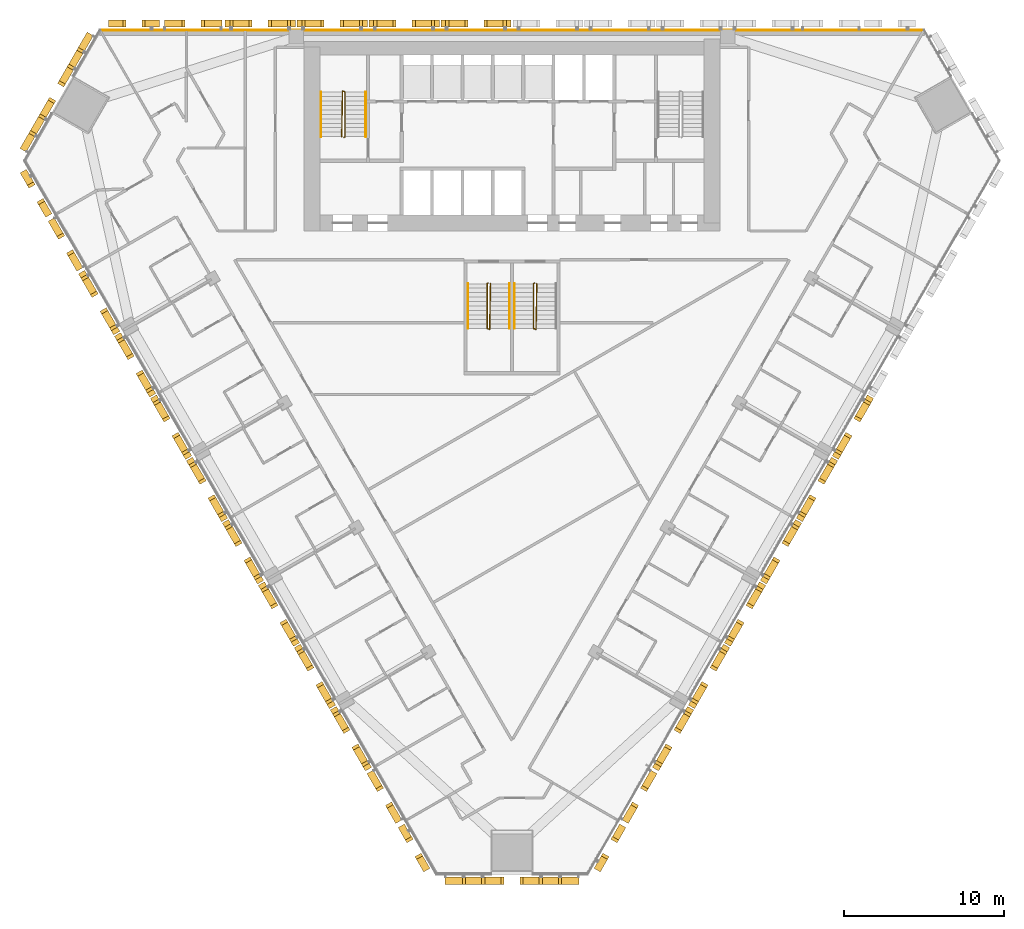
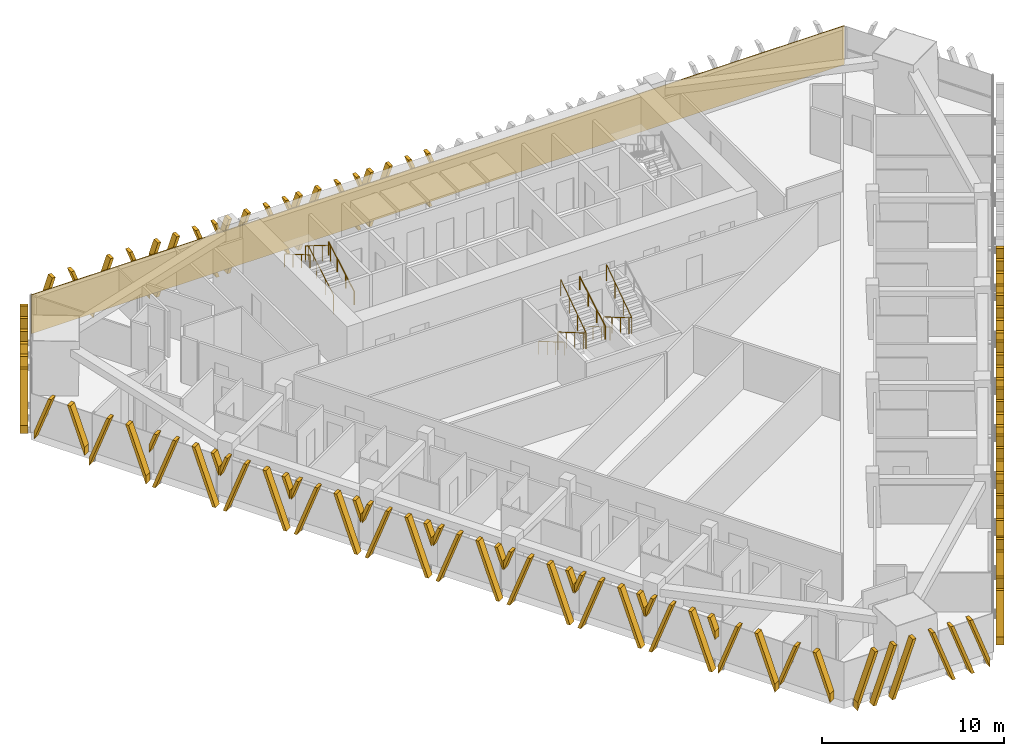
# One storey, part 15 of 17: 28 shading devices, 8 railings, 1 covering.
"""IFC4 building model written with IfcOpenShell, lengths in metres."""

from ifc_helpers import new_model, si_unit, direction, frame, frame_2d, origin, origin_2d, place, context, subcontext, project, spatial, polyline, rectangle, circle, outline, extrude, source, transform, mapped, material, layer, layer_set, type_object, element, save


model = new_model("IFC4")

# Units and contexts
model_context = context("Model", 3, precision=1e-05, world=origin(), true_north=direction((0.0, 1.0)))
body_context = subcontext(model_context, "Body", "Model", "MODEL_VIEW")
ifc_project = project(units=[si_unit("LENGTHUNIT", "METRE"), si_unit("AREAUNIT", "SQUARE_METRE"), si_unit("VOLUMEUNIT", "CUBIC_METRE"), si_unit("PLANEANGLEUNIT", "RADIAN"), si_unit("MASSUNIT", "GRAM", prefix="KILO")], contexts=[model_context])

# Site, building, storey
site_placement = place(None, origin())
site = spatial("IfcSite", under=ifc_project, at=site_placement, CompositionType="ELEMENT")
building_placement = place(site_placement, origin())
building = spatial("IfcBuilding", under=site, at=building_placement, Name="Altiplano Prism Tower", CompositionType="ELEMENT")
storey_placement = place(building_placement, frame((0.0, 0.0, 52.199951171875)))
storey = spatial("IfcBuildingStorey", under=building, at=storey_placement, Name="L12", CompositionType="ELEMENT", Elevation=52.199951171875)

# Railings
ifc_material_1 = material(Name="Steel S355", Category="steel")
railing_type_1 = type_object("IfcRailingType", Name="Stair guard 1100", PredefinedType="GUARDRAIL", material=ifc_material_1)
railing_1_placement = place(storey_placement, frame((74.5, 98.25, 0.0)))
element("IfcRailing", 1, at=railing_1_placement, inside=storey, type_object=railing_type_1, Name="L12 ST1 stair guard 1", PredefinedType="GUARDRAIL", context=body_context, shape_type="SweptSolid", body=[
    extrude(circle(Radius=0.02392578125, at=origin_2d()), frame((0.0, 0.0, 1.076171875), z_axis=(0.280808744504, 0.280808744504, 0.917765164963), x_axis=(-0.707106781187, 0.707106781187, 0.0)), (0.0, 0.0, 1.0), 0.17822265625),
    extrude(circle(Radius=0.02392578125, at=origin_2d()), frame((0.050048828125, 0.050048828125, 1.23974609375), z_axis=(0.0, 0.863360870873, 0.504586966384), x_axis=(-1.0, 0.0, 0.0)), (0.0, 0.0, 1.0), 3.2431640625),
    extrude(circle(Radius=0.02392578125, at=origin_2d()), frame((0.050048828125, 2.85009765625, 2.8759765625), z_axis=(-0.949145278916, 0.314838433982, 0.0), x_axis=(-0.314838433982, -0.949145278916, 0.0)), (0.0, 0.0, 1.0), 0.158203125),
    extrude(circle(Radius=0.02392578125, at=origin_2d()), frame((-0.10009765625, 2.89990234375, 2.8759765625), z_axis=(-0.01477401265, -0.845377694409, 0.533964682676), x_axis=(0.999847325713, -0.01747355902, 0.0)), (0.0, 0.0, 1.0), 3.37109375),
    extrude(circle(Radius=0.02099609375, at=origin_2d()), origin(), (0.0, 0.0, 1.0), 1.052001953125),
    extrude(circle(Radius=0.02099609375, at=origin_2d()), frame((0.050048828125, 0.050048828125, 0.16357421875)), (0.0, 0.0, 1.0), 1.052001953125),
    extrude(circle(Radius=0.02099609375, at=origin_2d()), frame((0.050048828125, 0.9833984375, 0.708984375)), (0.0, 0.0, 1.0), 1.052001953125),
    extrude(circle(Radius=0.02099609375, at=origin_2d()), frame((0.050048828125, 1.916748046875, 1.254638671875)), (0.0, 0.0, 1.0), 1.052001953125),
    extrude(circle(Radius=0.02099609375, at=origin_2d()), frame((0.050048828125, 2.85009765625, 1.800048828125)), (0.0, 0.0, 1.0), 1.052001953125),
    extrude(circle(Radius=0.02099609375, at=origin_2d()), frame((-0.10009765625, 2.89990234375, 1.800048828125)), (0.0, 0.0, 1.0), 1.052001953125),
    extrude(circle(Radius=0.02099609375, at=origin_2d()), frame((-0.11669921875, 1.949951171875, 2.400146484375)), (0.0, 0.0, 1.0), 1.052001953125),
    extrude(circle(Radius=0.02099609375, at=origin_2d()), frame((-0.13330078125, 1.0, 3.0)), (0.0, 0.0, 1.0), 1.052001953125),
    extrude(circle(Radius=0.02099609375, at=origin_2d()), frame((-0.14990234375, 0.050048828125, 3.60009765625)), (0.0, 0.0, 1.0), 1.052001953125),
])
railing_2_placement = place(storey_placement, frame((83.5, 89.14990234375, 0.0)))
element("IfcRailing", 2, at=railing_2_placement, inside=storey, type_object=railing_type_1, Name="L12 ST3A stair guard 1", PredefinedType="GUARDRAIL", context=body_context, shape_type="SweptSolid", body=[
    extrude(circle(Radius=0.02392578125, at=origin_2d()), frame((0.0, 0.0, 1.076171875), z_axis=(-0.280916556609, -0.279546231943, 0.91811752648), x_axis=(0.705375805398, -0.708833529934, 0.0)), (0.0, 0.0, 1.0), 0.17822265625),
    extrude(circle(Radius=0.02392578125, at=origin_2d()), frame((-0.050048828125, -0.0498046875, 1.23974609375), z_axis=(0.0, -0.863360870873, 0.504586966384), x_axis=(1.0, 0.0, 0.0)), (0.0, 0.0, 1.0), 3.2431640625),
    extrude(circle(Radius=0.02392578125, at=origin_2d()), frame((-0.050048828125, -2.849853515625, 2.8759765625), z_axis=(0.948683298051, -0.316227766017, 0.0), x_axis=(0.316227766017, 0.948683298051, 0.0)), (0.0, 0.0, 1.0), 0.158203125),
    extrude(circle(Radius=0.02392578125, at=origin_2d()), frame((0.10009765625, -2.89990234375, 2.8759765625), z_axis=(0.014773108175, 0.84539835705, 0.533931993021), x_axis=(-0.999847351862, 0.017472062685, 0.0)), (0.0, 0.0, 1.0), 3.371337890625),
    extrude(circle(Radius=0.02099609375, at=origin_2d()), origin(), (0.0, 0.0, 1.0), 1.052001953125),
    extrude(circle(Radius=0.02099609375, at=origin_2d()), frame((-0.050048828125, -0.0498046875, 0.16357421875)), (0.0, 0.0, 1.0), 1.052001953125),
    extrude(circle(Radius=0.02099609375, at=origin_2d()), frame((-0.050048828125, -0.983154296875, 0.708984375)), (0.0, 0.0, 1.0), 1.052001953125),
    extrude(circle(Radius=0.02099609375, at=origin_2d()), frame((-0.050048828125, -1.91650390625, 1.254638671875)), (0.0, 0.0, 1.0), 1.052001953125),
    extrude(circle(Radius=0.02099609375, at=origin_2d()), frame((-0.050048828125, -2.849853515625, 1.800048828125)), (0.0, 0.0, 1.0), 1.052001953125),
    extrude(circle(Radius=0.02099609375, at=origin_2d()), frame((0.10009765625, -2.89990234375, 1.800048828125)), (0.0, 0.0, 1.0), 1.052001953125),
    extrude(circle(Radius=0.02099609375, at=origin_2d()), frame((0.11669921875, -1.949951171875, 2.400146484375)), (0.0, 0.0, 1.0), 1.052001953125),
    extrude(circle(Radius=0.02099609375, at=origin_2d()), frame((0.13330078125, -0.999755859375, 3.0)), (0.0, 0.0, 1.0), 1.052001953125),
    extrude(circle(Radius=0.02099609375, at=origin_2d()), frame((0.14990234375, -0.0498046875, 3.60009765625)), (0.0, 0.0, 1.0), 1.052001953125),
])
railing_3_placement = place(storey_placement, frame((86.39990234375, 89.14990234375, 0.0)))
element("IfcRailing", 3, at=railing_3_placement, inside=storey, type_object=railing_type_1, Name="L12 ST3B stair guard 1", PredefinedType="GUARDRAIL", context=body_context, shape_type="SweptSolid", body=[
    extrude(circle(Radius=0.02392578125, at=origin_2d()), frame((0.0, 0.0, 1.076171875), z_axis=(-0.279653641804, -0.279653641804, 0.918470294159), x_axis=(0.707106781187, -0.707106781187, 0.0)), (0.0, 0.0, 1.0), 0.177978515625),
    extrude(circle(Radius=0.02392578125, at=origin_2d()), frame((-0.0498046875, -0.0498046875, 1.23974609375), z_axis=(0.0, -0.863360870873, 0.504586966384), x_axis=(1.0, 0.0, 0.0)), (0.0, 0.0, 1.0), 3.2431640625),
    extrude(circle(Radius=0.02392578125, at=origin_2d()), frame((-0.0498046875, -2.849853515625, 2.8759765625), z_axis=(0.948528701346, -0.316691178788, 0.0), x_axis=(0.316691178788, 0.948528701346, 0.0)), (0.0, 0.0, 1.0), 0.157958984375),
    extrude(circle(Radius=0.02392578125, at=origin_2d()), frame((0.10009765625, -2.89990234375, 2.8759765625), z_axis=(0.014845509451, 0.845397450405, 0.533931420407), x_axis=(-0.999845851991, 0.017557683712, 0.0)), (0.0, 0.0, 1.0), 3.371337890625),
    extrude(circle(Radius=0.02099609375, at=origin_2d()), origin(), (0.0, 0.0, 1.0), 1.052001953125),
    extrude(circle(Radius=0.02099609375, at=origin_2d()), frame((-0.0498046875, -0.0498046875, 0.16357421875)), (0.0, 0.0, 1.0), 1.052001953125),
    extrude(circle(Radius=0.02099609375, at=origin_2d()), frame((-0.0498046875, -0.983154296875, 0.708984375)), (0.0, 0.0, 1.0), 1.052001953125),
    extrude(circle(Radius=0.02099609375, at=origin_2d()), frame((-0.0498046875, -1.91650390625, 1.254638671875)), (0.0, 0.0, 1.0), 1.052001953125),
    extrude(circle(Radius=0.02099609375, at=origin_2d()), frame((-0.0498046875, -2.849853515625, 1.800048828125)), (0.0, 0.0, 1.0), 1.052001953125),
    extrude(circle(Radius=0.02099609375, at=origin_2d()), frame((0.10009765625, -2.89990234375, 1.800048828125)), (0.0, 0.0, 1.0), 1.052001953125),
    extrude(circle(Radius=0.02099609375, at=origin_2d()), frame((0.11669921875, -1.949951171875, 2.400146484375)), (0.0, 0.0, 1.0), 1.052001953125),
    extrude(circle(Radius=0.02099609375, at=origin_2d()), frame((0.133544921875, -0.999755859375, 3.0)), (0.0, 0.0, 1.0), 1.052001953125),
    extrude(circle(Radius=0.02099609375, at=origin_2d()), frame((0.150146484375, -0.0498046875, 3.60009765625)), (0.0, 0.0, 1.0), 1.052001953125),
])
railing_type_2 = type_object("IfcRailingType", Name="Stair handrail 900", PredefinedType="HANDRAIL", material=ifc_material_1)
railing_4_placement = place(storey_placement, frame((75.85009765625, 98.300048828125, 0.16357421875)))
element("IfcRailing", 4, at=railing_4_placement, inside=storey, type_object=railing_type_2, Name="L12 ST1 stair handrail 1", PredefinedType="HANDRAIL", context=body_context, shape_type="SweptSolid", body=[
    extrude(circle(Radius=0.02392578125, at=origin_2d()), frame((0.0, 0.0, 0.8759765625), z_axis=(0.0, 0.863360870873, 0.504586966384), x_axis=(-1.0, 0.0, 0.0)), (0.0, 0.0, 1.0), 3.2431640625),
    extrude(circle(Radius=0.02099609375, at=origin_2d()), origin(), (0.0, 0.0, 1.0), 0.851806640625),
    extrude(circle(Radius=0.02099609375, at=origin_2d()), frame((0.0, 0.933349609375, 0.54541015625)), (0.0, 0.0, 1.0), 0.851806640625),
    extrude(circle(Radius=0.02099609375, at=origin_2d()), frame((0.0, 1.86669921875, 1.091064453125)), (0.0, 0.0, 1.0), 0.851806640625),
    extrude(circle(Radius=0.02099609375, at=origin_2d()), frame((0.0, 2.800048828125, 1.636474609375)), (0.0, 0.0, 1.0), 0.851806640625),
])
for number, where, name in (
    (5, (73.050048828125, 101.10009765625, 1.963623046875), "L12 ST1 stair handrail 2"),
    (6, (82.25, 89.10009765625, 0.16357421875), "L12 ST3A stair handrail 1"),
):
    element("IfcRailing", number, at=place(storey_placement, frame(where)), inside=storey, type_object=railing_type_2, Name=name, PredefinedType="HANDRAIL", context=body_context, shape_type="SweptSolid", body=[
        extrude(circle(Radius=0.02392578125, at=origin_2d()), frame((0.0, 0.0, 0.8759765625), z_axis=(0.0, -0.863360870873, 0.504586966384), x_axis=(1.0, 0.0, 0.0)), (0.0, 0.0, 1.0), 3.2431640625),
        extrude(circle(Radius=0.02099609375, at=origin_2d()), origin(), (0.0, 0.0, 1.0), 0.851806640625),
        extrude(circle(Radius=0.02099609375, at=origin_2d()), frame((0.0, -0.933349609375, 0.54541015625)), (0.0, 0.0, 1.0), 0.851806640625),
        extrude(circle(Radius=0.02099609375, at=origin_2d()), frame((0.0, -1.86669921875, 1.091064453125)), (0.0, 0.0, 1.0), 0.851806640625),
        extrude(circle(Radius=0.02099609375, at=origin_2d()), frame((0.0, -2.800048828125, 1.636474609375)), (0.0, 0.0, 1.0), 0.851806640625),
    ])
railing_5_placement = place(storey_placement, frame((84.85009765625, 86.300048828125, 1.963623046875)))
element("IfcRailing", 7, at=railing_5_placement, inside=storey, type_object=railing_type_2, Name="L12 ST3A stair handrail 2", PredefinedType="HANDRAIL", context=body_context, shape_type="SweptSolid", body=[
    extrude(circle(Radius=0.02392578125, at=origin_2d()), frame((0.0, 0.0, 0.8759765625), z_axis=(0.0, 0.863360870873, 0.504586966384), x_axis=(-1.0, 0.0, 0.0)), (0.0, 0.0, 1.0), 3.2431640625),
    extrude(circle(Radius=0.02099609375, at=origin_2d()), origin(), (0.0, 0.0, 1.0), 0.851806640625),
    extrude(circle(Radius=0.02099609375, at=origin_2d()), frame((0.0, 0.933349609375, 0.54541015625)), (0.0, 0.0, 1.0), 0.851806640625),
    extrude(circle(Radius=0.02099609375, at=origin_2d()), frame((0.0, 1.86669921875, 1.091064453125)), (0.0, 0.0, 1.0), 0.851806640625),
    extrude(circle(Radius=0.02099609375, at=origin_2d()), frame((0.0, 2.800048828125, 1.636474609375)), (0.0, 0.0, 1.0), 0.851806640625),
])
railing_6_placement = place(storey_placement, frame((85.14990234375, 89.10009765625, 0.16357421875)))
element("IfcRailing", 8, at=railing_6_placement, inside=storey, type_object=railing_type_2, Name="L12 ST3B stair handrail 1", PredefinedType="HANDRAIL", context=body_context, shape_type="SweptSolid", body=[
    extrude(circle(Radius=0.02392578125, at=origin_2d()), frame((0.0, 0.0, 0.8759765625), z_axis=(0.0, -0.863360870873, 0.504586966384), x_axis=(1.0, 0.0, 0.0)), (0.0, 0.0, 1.0), 3.2431640625),
    extrude(circle(Radius=0.02099609375, at=origin_2d()), origin(), (0.0, 0.0, 1.0), 0.851806640625),
    extrude(circle(Radius=0.02099609375, at=origin_2d()), frame((0.0, -0.933349609375, 0.54541015625)), (0.0, 0.0, 1.0), 0.851806640625),
    extrude(circle(Radius=0.02099609375, at=origin_2d()), frame((0.0, -1.86669921875, 1.091064453125)), (0.0, 0.0, 1.0), 0.851806640625),
    extrude(circle(Radius=0.02099609375, at=origin_2d()), frame((0.0, -2.800048828125, 1.636474609375)), (0.0, 0.0, 1.0), 0.851806640625),
])

# Covering
ifc_material_2 = material(Name="Warm limestone cast stone", Category="masonry")
ifc_layer = layer(ifc_material_2, 0.06005859375)
ifc_layer_set = layer_set([ifc_layer], Name="Warm limestone cast stone")
covering_type = type_object("IfcCoveringType", Name="Stone cladding 60", PredefinedType="CLADDING", material=ifc_layer_set)
covering_placement = place(storey_placement, frame((59.2080078125, 104.969970703125, 0.0), z_axis=(0.0, 0.0, 1.0), x_axis=(1.0, 0.0, 0.0)))
element("IfcCovering", 9, at=covering_placement, inside=storey, type_object=covering_type, Name="Stone cladding north face L12", PredefinedType="CLADDING", context=body_context, shape_type="SweptSolid", body=[
    extrude(rectangle(XDim=51.583984375, YDim=0.06005859375, at=frame_2d((25.7919921875, 0.0))), origin(), (0.0, 0.0, 1.0), 2.60009765625),
])

# Shading devices
shading_device_type_1 = type_object("IfcShadingDeviceType", Name="Stone fin panel, narrow closing bay", PredefinedType="USERDEFINED", material=ifc_material_2)
shared_shape_1 = source(origin(), body_context, "Body", "SweptSolid", [
    extrude(outline(polyline([(-1.60009765625, 0.577880859375), (-0.5, 3.60009765625), (-0.699951171875, 3.60009765625), (-1.60009765625, 1.127197265625), (-1.60009765625, 0.577880859375)])), frame((0.0, -0.14990234375, 0.0), z_axis=(0.0, -1.0, 0.0), x_axis=(1.0, 0.0, 0.0)), (0.0, 0.0, 1.0), 0.4501953125),
    extrude(outline(polyline([(1.60009765625, 1.127197265625), (0.699951171875, 3.60009765625), (0.5, 3.60009765625), (1.60009765625, 0.577880859375), (1.60009765625, 1.127197265625)])), frame((0.0, -0.14990234375, 0.0), z_axis=(0.0, -1.0, 0.0), x_axis=(1.0, 0.0, 0.0)), (0.0, 0.0, 1.0), 0.4501953125),
])
shading_device_1_placement = place(storey_placement, origin())
element("IfcShadingDevice", 10, at=shading_device_1_placement, inside=storey, type_object=shading_device_type_1, Name="Fin L12 north face 12", ObjectType="FIN", PredefinedType="USERDEFINED", context=body_context, shape_type="MappedRepresentation", body=[
    mapped(shared_shape_1, transform((61.35595703125, 105.0, -0.5), x_axis=(-1.0, 0.0, 0.0), y_axis=(0.0, -1.0, 0.0), z_axis=(0.0, 0.0, 1.0))),
])
shading_device_2_placement = place(storey_placement, origin())
element("IfcShadingDevice", 11, at=shading_device_2_placement, inside=storey, type_object=shading_device_type_1, Name="Fin L12 south-west face 1", ObjectType="FIN", PredefinedType="USERDEFINED", context=body_context, shape_type="MappedRepresentation", body=[
    mapped(shared_shape_1, transform((55.551513671875, 94.946044921875, -0.5), x_axis=(0.499999990992, -0.866025408985, 0.0), y_axis=(0.866025408985, 0.499999990992, 0.0), z_axis=(0.0, 0.0, 1.0))),
])
shading_device_3_placement = place(storey_placement, origin())
element("IfcShadingDevice", 12, at=shading_device_3_placement, inside=storey, type_object=shading_device_type_1, Name="Fin L12 south-west face 12", ObjectType="FIN", PredefinedType="USERDEFINED", context=body_context, shape_type="MappedRepresentation", body=[
    mapped(shared_shape_1, transform((79.1953125, 53.993408203125, -0.5), x_axis=(0.499999990992, -0.866025408985, 0.0), y_axis=(0.866025408985, 0.499999990992, 0.0), z_axis=(0.0, 0.0, 1.0))),
])
shading_device_4_placement = place(storey_placement, origin())
element("IfcShadingDevice", 13, at=shading_device_4_placement, inside=storey, type_object=shading_device_type_1, Name="Fin L12 south-east face 1", ObjectType="FIN", PredefinedType="USERDEFINED", context=body_context, shape_type="MappedRepresentation", body=[
    mapped(shared_shape_1, transform((90.8046875, 53.993408203125, -0.5), x_axis=(0.499999990992, 0.866025408985, 0.0), y_axis=(-0.866025408985, 0.499999990992, 0.0), z_axis=(0.0, 0.0, 1.0))),
])
shading_device_type_2 = type_object("IfcShadingDeviceType", Name="Stone fin panel, standard unit", PredefinedType="USERDEFINED", material=ifc_material_2)
shared_shape_2 = source(origin(), body_context, "Body", "SweptSolid", [
    extrude(outline(polyline([(-2.199951171875, 2.226318359375), (-1.699951171875, 3.60009765625), (-1.89990234375, 3.60009765625), (-2.199951171875, 2.77587890625), (-2.199951171875, 2.226318359375)])), frame((0.0, -0.14990234375, 0.0), z_axis=(0.0, -1.0, 0.0), x_axis=(1.0, 0.0, 0.0)), (0.0, 0.0, 1.0), 0.4501953125),
    extrude(outline(polyline([(-2.01025390625, 0.0), (-1.810302734375, 0.0), (-0.5, 3.60009765625), (-0.699951171875, 3.60009765625), (-2.01025390625, 0.0)])), frame((0.0, -0.14990234375, 0.0), z_axis=(0.0, -1.0, 0.0), x_axis=(1.0, 0.0, 0.0)), (0.0, 0.0, 1.0), 0.4501953125),
    extrude(outline(polyline([(1.810302734375, 0.0), (2.01025390625, 0.0), (0.699951171875, 3.60009765625), (0.5, 3.60009765625), (1.810302734375, 0.0)])), frame((0.0, -0.14990234375, 0.0), z_axis=(0.0, -1.0, 0.0), x_axis=(1.0, 0.0, 0.0)), (0.0, 0.0, 1.0), 0.4501953125),
    extrude(outline(polyline([(2.199951171875, 2.77587890625), (1.89990234375, 3.60009765625), (1.699951171875, 3.60009765625), (2.199951171875, 2.226318359375), (2.199951171875, 2.77587890625)])), frame((0.0, -0.14990234375, 0.0), z_axis=(0.0, -1.0, 0.0), x_axis=(1.0, 0.0, 0.0)), (0.0, 0.0, 1.0), 0.4501953125),
])
shading_device_5_placement = place(storey_placement, origin())
element("IfcShadingDevice", 14, at=shading_device_5_placement, inside=storey, type_object=shading_device_type_2, Name="Fin L12 north face 7", ObjectType="FIN", PredefinedType="USERDEFINED", context=body_context, shape_type="MappedRepresentation", body=[
    mapped(shared_shape_2, transform((82.75, 105.0, -0.5), x_axis=(-1.0, 0.0, 0.0), y_axis=(0.0, -1.0, 0.0), z_axis=(0.0, 0.0, 1.0))),
])
shading_device_6_placement = place(storey_placement, origin())
element("IfcShadingDevice", 15, at=shading_device_6_placement, inside=storey, type_object=shading_device_type_2, Name="Fin L12 north face 8", ObjectType="FIN", PredefinedType="USERDEFINED", context=body_context, shape_type="MappedRepresentation", body=[
    mapped(shared_shape_2, transform((78.25, 105.0, -0.5), x_axis=(-1.0, 0.0, 0.0), y_axis=(0.0, -1.0, 0.0), z_axis=(0.0, 0.0, 1.0))),
])
shading_device_7_placement = place(storey_placement, origin())
element("IfcShadingDevice", 16, at=shading_device_7_placement, inside=storey, type_object=shading_device_type_2, Name="Fin L12 north face 9", ObjectType="FIN", PredefinedType="USERDEFINED", context=body_context, shape_type="MappedRepresentation", body=[
    mapped(shared_shape_2, transform((73.75, 105.0, -0.5), x_axis=(-1.0, 0.0, 0.0), y_axis=(0.0, -1.0, 0.0), z_axis=(0.0, 0.0, 1.0))),
])
shading_device_8_placement = place(storey_placement, origin())
element("IfcShadingDevice", 17, at=shading_device_8_placement, inside=storey, type_object=shading_device_type_2, Name="Fin L12 north face 10", ObjectType="FIN", PredefinedType="USERDEFINED", context=body_context, shape_type="MappedRepresentation", body=[
    mapped(shared_shape_2, transform((69.25, 105.0, -0.5), x_axis=(-1.0, 0.0, 0.0), y_axis=(0.0, -1.0, 0.0), z_axis=(0.0, 0.0, 1.0))),
])
shading_device_9_placement = place(storey_placement, origin())
element("IfcShadingDevice", 18, at=shading_device_9_placement, inside=storey, type_object=shading_device_type_2, Name="Fin L12 south-west face 3", ObjectType="FIN", PredefinedType="USERDEFINED", context=body_context, shape_type="MappedRepresentation", body=[
    mapped(shared_shape_2, transform((59.498291015625, 88.109619140625, -0.5), x_axis=(0.499999990992, -0.866025408985, 0.0), y_axis=(0.866025408985, 0.499999990992, 0.0), z_axis=(0.0, 0.0, 1.0))),
])
shading_device_10_placement = place(storey_placement, origin())
element("IfcShadingDevice", 19, at=shading_device_10_placement, inside=storey, type_object=shading_device_type_2, Name="Fin L12 south-west face 4", ObjectType="FIN", PredefinedType="USERDEFINED", context=body_context, shape_type="MappedRepresentation", body=[
    mapped(shared_shape_2, transform((61.748291015625, 84.212646484375, -0.5), x_axis=(0.499999990992, -0.866025408985, 0.0), y_axis=(0.866025408985, 0.499999990992, 0.0), z_axis=(0.0, 0.0, 1.0))),
])
shading_device_11_placement = place(storey_placement, origin())
element("IfcShadingDevice", 20, at=shading_device_11_placement, inside=storey, type_object=shading_device_type_2, Name="Fin L12 south-west face 5", ObjectType="FIN", PredefinedType="USERDEFINED", context=body_context, shape_type="MappedRepresentation", body=[
    mapped(shared_shape_2, transform((63.998291015625, 80.3154296875, -0.5), x_axis=(0.499999990992, -0.866025408985, 0.0), y_axis=(0.866025408985, 0.499999990992, 0.0), z_axis=(0.0, 0.0, 1.0))),
])
shading_device_12_placement = place(storey_placement, origin())
element("IfcShadingDevice", 21, at=shading_device_12_placement, inside=storey, type_object=shading_device_type_2, Name="Fin L12 south-west face 6", ObjectType="FIN", PredefinedType="USERDEFINED", context=body_context, shape_type="MappedRepresentation", body=[
    mapped(shared_shape_2, transform((66.248291015625, 76.41845703125, -0.5), x_axis=(0.499999990992, -0.866025408985, 0.0), y_axis=(0.866025408985, 0.499999990992, 0.0), z_axis=(0.0, 0.0, 1.0))),
])
shading_device_13_placement = place(storey_placement, origin())
element("IfcShadingDevice", 22, at=shading_device_13_placement, inside=storey, type_object=shading_device_type_2, Name="Fin L12 south-west face 7", ObjectType="FIN", PredefinedType="USERDEFINED", context=body_context, shape_type="MappedRepresentation", body=[
    mapped(shared_shape_2, transform((68.498291015625, 72.521240234375, -0.5), x_axis=(0.499999990992, -0.866025408985, 0.0), y_axis=(0.866025408985, 0.499999990992, 0.0), z_axis=(0.0, 0.0, 1.0))),
])
shading_device_14_placement = place(storey_placement, origin())
element("IfcShadingDevice", 23, at=shading_device_14_placement, inside=storey, type_object=shading_device_type_2, Name="Fin L12 south-west face 8", ObjectType="FIN", PredefinedType="USERDEFINED", context=body_context, shape_type="MappedRepresentation", body=[
    mapped(shared_shape_2, transform((70.748291015625, 68.624267578125, -0.5), x_axis=(0.499999990992, -0.866025408985, 0.0), y_axis=(0.866025408985, 0.499999990992, 0.0), z_axis=(0.0, 0.0, 1.0))),
])
shading_device_15_placement = place(storey_placement, origin())
element("IfcShadingDevice", 24, at=shading_device_15_placement, inside=storey, type_object=shading_device_type_2, Name="Fin L12 south-west face 9", ObjectType="FIN", PredefinedType="USERDEFINED", context=body_context, shape_type="MappedRepresentation", body=[
    mapped(shared_shape_2, transform((72.998291015625, 64.72705078125, -0.5), x_axis=(0.499999990992, -0.866025408985, 0.0), y_axis=(0.866025408985, 0.499999990992, 0.0), z_axis=(0.0, 0.0, 1.0))),
])
shading_device_16_placement = place(storey_placement, origin())
element("IfcShadingDevice", 25, at=shading_device_16_placement, inside=storey, type_object=shading_device_type_2, Name="Fin L12 south-west face 10", ObjectType="FIN", PredefinedType="USERDEFINED", context=body_context, shape_type="MappedRepresentation", body=[
    mapped(shared_shape_2, transform((75.248291015625, 60.829833984375, -0.5), x_axis=(0.499999990992, -0.866025408985, 0.0), y_axis=(0.866025408985, 0.499999990992, 0.0), z_axis=(0.0, 0.0, 1.0))),
])
shading_device_17_placement = place(storey_placement, origin())
element("IfcShadingDevice", 26, at=shading_device_17_placement, inside=storey, type_object=shading_device_type_2, Name="Fin L12 south-east face 3", ObjectType="FIN", PredefinedType="USERDEFINED", context=body_context, shape_type="MappedRepresentation", body=[
    mapped(shared_shape_2, transform((94.751708984375, 60.829833984375, -0.5), x_axis=(0.499999990992, 0.866025408985, 0.0), y_axis=(-0.866025408985, 0.499999990992, 0.0), z_axis=(0.0, 0.0, 1.0))),
])
shading_device_18_placement = place(storey_placement, origin())
element("IfcShadingDevice", 27, at=shading_device_18_placement, inside=storey, type_object=shading_device_type_2, Name="Fin L12 south-east face 4", ObjectType="FIN", PredefinedType="USERDEFINED", context=body_context, shape_type="MappedRepresentation", body=[
    mapped(shared_shape_2, transform((97.001708984375, 64.72705078125, -0.5), x_axis=(0.499999990992, 0.866025408985, 0.0), y_axis=(-0.866025408985, 0.499999990992, 0.0), z_axis=(0.0, 0.0, 1.0))),
])
shading_device_19_placement = place(storey_placement, origin())
element("IfcShadingDevice", 28, at=shading_device_19_placement, inside=storey, type_object=shading_device_type_2, Name="Fin L12 south-east face 5", ObjectType="FIN", PredefinedType="USERDEFINED", context=body_context, shape_type="MappedRepresentation", body=[
    mapped(shared_shape_2, transform((99.251708984375, 68.624267578125, -0.5), x_axis=(0.499999990992, 0.866025408985, 0.0), y_axis=(-0.866025408985, 0.499999990992, 0.0), z_axis=(0.0, 0.0, 1.0))),
])
shading_device_20_placement = place(storey_placement, origin())
element("IfcShadingDevice", 29, at=shading_device_20_placement, inside=storey, type_object=shading_device_type_2, Name="Fin L12 south-east face 6", ObjectType="FIN", PredefinedType="USERDEFINED", context=body_context, shape_type="MappedRepresentation", body=[
    mapped(shared_shape_2, transform((101.501708984375, 72.521240234375, -0.5), x_axis=(0.499999990992, 0.866025408985, 0.0), y_axis=(-0.866025408985, 0.499999990992, 0.0), z_axis=(0.0, 0.0, 1.0))),
])
shading_device_21_placement = place(storey_placement, origin())
element("IfcShadingDevice", 30, at=shading_device_21_placement, inside=storey, type_object=shading_device_type_2, Name="Fin L12 south-east face 7", ObjectType="FIN", PredefinedType="USERDEFINED", context=body_context, shape_type="MappedRepresentation", body=[
    mapped(shared_shape_2, transform((103.751708984375, 76.41845703125, -0.5), x_axis=(0.499999990992, 0.866025408985, 0.0), y_axis=(-0.866025408985, 0.499999990992, 0.0), z_axis=(0.0, 0.0, 1.0))),
])
shading_device_22_placement = place(storey_placement, origin())
element("IfcShadingDevice", 31, at=shading_device_22_placement, inside=storey, type_object=shading_device_type_2, Name="Fin L12 south-east face 8", ObjectType="FIN", PredefinedType="USERDEFINED", context=body_context, shape_type="MappedRepresentation", body=[
    mapped(shared_shape_2, transform((106.001708984375, 80.3154296875, -0.5), x_axis=(0.499999990992, 0.866025408985, 0.0), y_axis=(-0.866025408985, 0.499999990992, 0.0), z_axis=(0.0, 0.0, 1.0))),
])
shared_shape_3 = source(origin(), body_context, "Body", "SweptSolid", [
    extrude(outline(polyline([(-1.800048828125, 0.0283203125), (-0.5, 3.60009765625), (-0.699951171875, 3.60009765625), (-1.800048828125, 0.577880859375), (-1.800048828125, 0.0283203125)])), frame((0.0, -0.14990234375, 0.0), z_axis=(0.0, -1.0, 0.0), x_axis=(1.0, 0.0, 0.0)), (0.0, 0.0, 1.0), 0.4501953125),
    extrude(outline(polyline([(1.800048828125, 0.577880859375), (0.699951171875, 3.60009765625), (0.5, 3.60009765625), (1.800048828125, 0.0283203125), (1.800048828125, 0.577880859375)])), frame((0.0, -0.14990234375, 0.0), z_axis=(0.0, -1.0, 0.0), x_axis=(1.0, 0.0, 0.0)), (0.0, 0.0, 1.0), 0.4501953125),
])
shading_device_23_placement = place(storey_placement, origin())
element("IfcShadingDevice", 32, at=shading_device_23_placement, inside=storey, type_object=shading_device_type_1, Name="Fin L12 north face 11", ObjectType="FIN", PredefinedType="USERDEFINED", context=body_context, shape_type="MappedRepresentation", body=[
    mapped(shared_shape_3, transform((65.052001953125, 105.0, -0.5), x_axis=(-1.0, 0.0, 0.0), y_axis=(0.0, -1.0, 0.0), z_axis=(0.0, 0.0, 1.0))),
])
shading_device_24_placement = place(storey_placement, origin())
element("IfcShadingDevice", 33, at=shading_device_24_placement, inside=storey, type_object=shading_device_type_1, Name="Fin L12 south-west face 2", ObjectType="FIN", PredefinedType="USERDEFINED", context=body_context, shape_type="MappedRepresentation", body=[
    mapped(shared_shape_3, transform((57.3994140625, 91.745361328125, -0.5), x_axis=(0.499999990992, -0.866025408985, 0.0), y_axis=(0.866025408985, 0.499999990992, 0.0), z_axis=(0.0, 0.0, 1.0))),
])
shading_device_25_placement = place(storey_placement, origin())
element("IfcShadingDevice", 34, at=shading_device_25_placement, inside=storey, type_object=shading_device_type_1, Name="Fin L12 south-west face 11", ObjectType="FIN", PredefinedType="USERDEFINED", context=body_context, shape_type="MappedRepresentation", body=[
    mapped(shared_shape_3, transform((77.347412109375, 57.1943359375, -0.5), x_axis=(0.499999990992, -0.866025408985, 0.0), y_axis=(0.866025408985, 0.499999990992, 0.0), z_axis=(0.0, 0.0, 1.0))),
])
shading_device_26_placement = place(storey_placement, origin())
element("IfcShadingDevice", 35, at=shading_device_26_placement, inside=storey, type_object=shading_device_type_1, Name="Fin L12 south-east face 2", ObjectType="FIN", PredefinedType="USERDEFINED", context=body_context, shape_type="MappedRepresentation", body=[
    mapped(shared_shape_3, transform((92.652587890625, 57.1943359375, -0.5), x_axis=(0.499999990992, 0.866025408985, 0.0), y_axis=(-0.866025408985, 0.499999990992, 0.0), z_axis=(0.0, 0.0, 1.0))),
])
shading_device_type_3 = type_object("IfcShadingDeviceType", Name="Stone fin panel, chamfer unit", PredefinedType="USERDEFINED", material=ifc_material_2)
shared_shape_4 = source(origin(), body_context, "Body", "SweptSolid", [
    extrude(outline(polyline([(-4.199951171875, 0.0283203125), (-2.89990234375, 3.60009765625), (-3.10009765625, 3.60009765625), (-4.199951171875, 0.577880859375), (-4.199951171875, 0.0283203125)])), frame((0.0, -0.14990234375, 0.0), z_axis=(0.0, -1.0, 0.0), x_axis=(1.0, 0.0, 0.0)), (0.0, 0.0, 1.0), 0.4501953125),
    extrude(outline(polyline([(-3.210205078125, 0.0), (-3.01025390625, 0.0), (-1.699951171875, 3.60009765625), (-1.89990234375, 3.60009765625), (-3.210205078125, 0.0)])), frame((0.0, -0.14990234375, 0.0), z_axis=(0.0, -1.0, 0.0), x_axis=(1.0, 0.0, 0.0)), (0.0, 0.0, 1.0), 0.4501953125),
    extrude(outline(polyline([(-2.01025390625, 0.0), (-1.810302734375, 0.0), (-0.5, 3.60009765625), (-0.699951171875, 3.60009765625), (-2.01025390625, 0.0)])), frame((0.0, -0.14990234375, 0.0), z_axis=(0.0, -1.0, 0.0), x_axis=(1.0, 0.0, 0.0)), (0.0, 0.0, 1.0), 0.4501953125),
    extrude(outline(polyline([(1.810302734375, 0.0), (2.01025390625, 0.0), (0.699951171875, 3.60009765625), (0.5, 3.60009765625), (1.810302734375, 0.0)])), frame((0.0, -0.14990234375, 0.0), z_axis=(0.0, -1.0, 0.0), x_axis=(1.0, 0.0, 0.0)), (0.0, 0.0, 1.0), 0.4501953125),
    extrude(outline(polyline([(3.01025390625, 0.0), (3.210205078125, 0.0), (1.89990234375, 3.60009765625), (1.699951171875, 3.60009765625), (3.01025390625, 0.0)])), frame((0.0, -0.14990234375, 0.0), z_axis=(0.0, -1.0, 0.0), x_axis=(1.0, 0.0, 0.0)), (0.0, 0.0, 1.0), 0.4501953125),
    extrude(outline(polyline([(4.199951171875, 0.577880859375), (3.10009765625, 3.60009765625), (2.89990234375, 3.60009765625), (4.199951171875, 0.0283203125), (4.199951171875, 0.577880859375)])), frame((0.0, -0.14990234375, 0.0), z_axis=(0.0, -1.0, 0.0), x_axis=(1.0, 0.0, 0.0)), (0.0, 0.0, 1.0), 0.4501953125),
])
shading_device_27_placement = place(storey_placement, origin())
element("IfcShadingDevice", 36, at=shading_device_27_placement, inside=storey, type_object=shading_device_type_3, Name="Fin L12 north-west chamfer 1", ObjectType="FIN", PredefinedType="USERDEFINED", context=body_context, shape_type="MappedRepresentation", body=[
    mapped(shared_shape_4, transform((56.8427734375, 100.903076171875, -0.5), x_axis=(-0.500000055013, -0.866025372023, 0.0), y_axis=(0.866025372023, -0.500000055013, 0.0), z_axis=(0.0, 0.0, 1.0))),
])
shading_device_28_placement = place(storey_placement, origin())
element("IfcShadingDevice", 37, at=shading_device_28_placement, inside=storey, type_object=shading_device_type_3, Name="Fin L12 south chamfer 1", ObjectType="FIN", PredefinedType="USERDEFINED", context=body_context, shape_type="MappedRepresentation", body=[
    mapped(shared_shape_4, transform((85.0, 52.13330078125, -0.5), x_axis=(1.0, 0.0, 0.0), y_axis=(0.0, 1.0, 0.0), z_axis=(0.0, 0.0, 1.0))),
])

save(model, "model.ifc")
